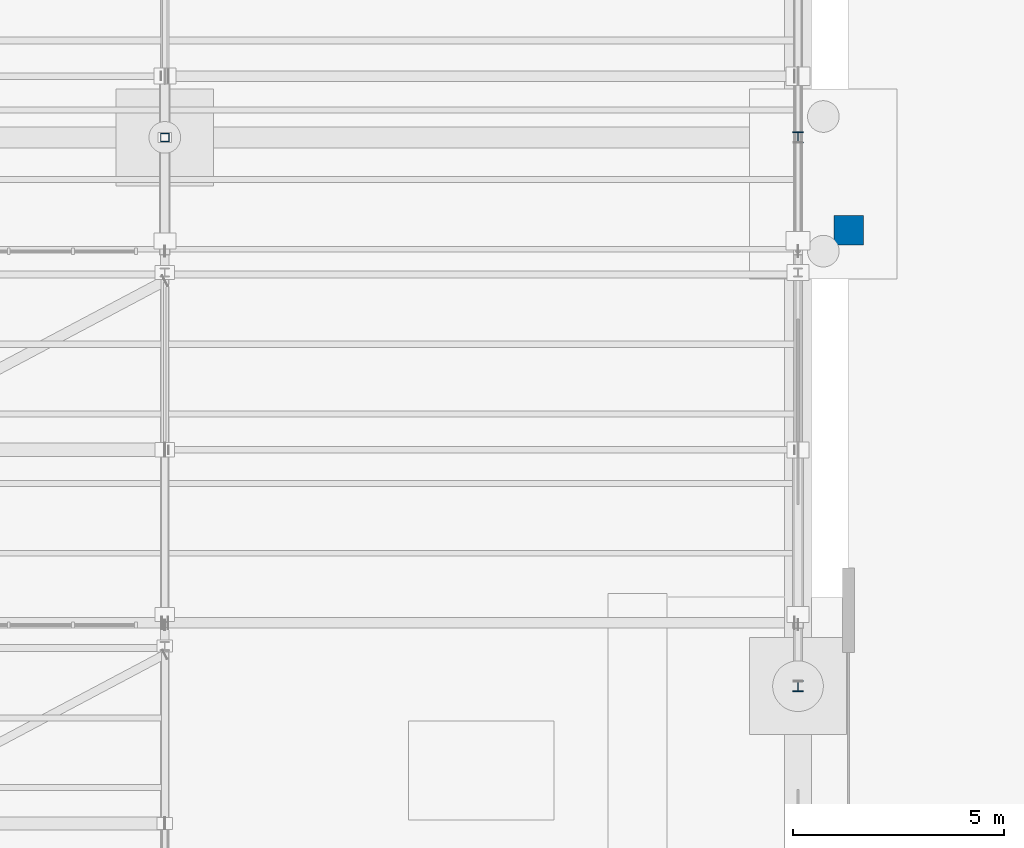
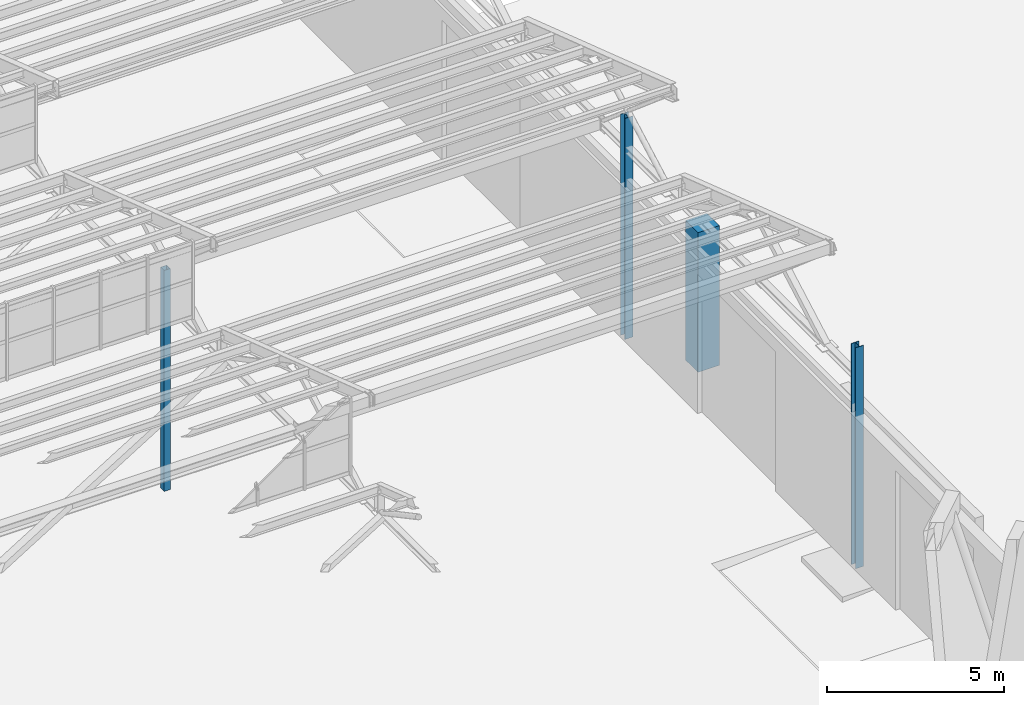
# One storey, part 30 of 285: 4 columns.
"""IFC4 building model written with IfcOpenShell, lengths in metres."""

from ifc_helpers import new_model, si_unit, direction, frame, origin, origin_2d, place, context, subcontext, project, spatial, rectangle, hollow_rectangle, i_section, extrude, material, material_profile, profile_set, type_object, element, save


model = new_model("IFC4")

# Units and contexts
model_context = context("Model", 3, precision=1e-05, world=origin(), true_north=direction((0.0, 1.0)))
body_context = subcontext(model_context, "Body", "Model", "MODEL_VIEW")
ifc_project = project(units=[si_unit("LENGTHUNIT", "METRE"), si_unit("AREAUNIT", "SQUARE_METRE"), si_unit("VOLUMEUNIT", "CUBIC_METRE"), si_unit("PLANEANGLEUNIT", "RADIAN"), si_unit("MASSUNIT", "GRAM", prefix="KILO")], contexts=[model_context])

# Site, building, storey
site_placement = place(None, origin())
site = spatial("IfcSite", under=ifc_project, at=site_placement, CompositionType="ELEMENT")
building_placement = place(site_placement, origin())
building = spatial("IfcBuilding", under=site, at=building_placement, Name="Solanera Park Tramway Depot", CompositionType="ELEMENT")
storey_placement = place(building_placement, origin())
storey = spatial("IfcBuildingStorey", under=building, at=storey_placement, Name="L00", CompositionType="ELEMENT", Elevation=0.0)

# Columns
ifc_material_1 = material(Name="Concrete N40 (C40/50)", Category="concrete")
ifc_material_profile_1 = material_profile(ifc_material_1, rectangle(XDim=0.699951171875, YDim=0.699951171875, at=origin_2d()), Name="RC 700x700")
ifc_profile_set_1 = profile_set([ifc_material_profile_1], Name="Concrete N40 (C40/50)")
column_type_1 = type_object("IfcColumnType", Name="RC Column Int RC 700x700", PredefinedType="COLUMN", material=ifc_profile_set_1)
column_1_placement = place(storey_placement, frame((151.199951171875, 82.800048828125, 0.0), z_axis=(0.0, 0.0, 1.0), x_axis=(1.0, 0.0, 0.0)))
element("IfcColumn", 1, at=column_1_placement, inside=storey, type_object=column_type_1, Name="L00 Column V4-X1512-Y828", PredefinedType="COLUMN", context=body_context, shape_type="SweptSolid", body=[
    extrude(rectangle(XDim=0.699951171875, YDim=0.699951171875, at=origin_2d()), origin(), (0.0, 0.0, 1.0), 4.800048828125),
])
ifc_material_2 = material(Name="Steel AS/NZS 3679.1 Grade 350", Category="steel")
ifc_material_profile_2 = material_profile(ifc_material_2, i_section(OverallWidth=0.25390625, OverallDepth=0.25390625, WebThickness=0.008544921875, FlangeThickness=0.01416015625, at=origin_2d()), Name="250UC72.9")
ifc_profile_set_2 = profile_set([ifc_material_profile_2], Name="Steel AS/NZS 3679.1 Grade 350")
column_type_2 = type_object("IfcColumnType", Name="Steel Column Ext 250UC72.9", PredefinedType="COLUMN", material=ifc_profile_set_2)
column_2_placement = place(storey_placement, frame((150.0, 72.0, 0.0), z_axis=(0.0, 0.0, 1.0), x_axis=(1.0, 0.0, 0.0)))
element("IfcColumn", 2, at=column_2_placement, inside=storey, type_object=column_type_2, Name="L00 Column V1S-X1500-Y720", PredefinedType="COLUMN", context=body_context, shape_type="SweptSolid", body=[
    extrude(i_section(OverallWidth=0.25390625, OverallDepth=0.25390625, WebThickness=0.008544921875, FlangeThickness=0.01416015625, at=origin_2d()), origin(), (0.0, 0.0, 1.0), 7.60009765625),
])
ifc_material_3 = material(Name="Steel AS/NZS 3679.1 Grade 350", Category="steel")
ifc_material_profile_3 = material_profile(ifc_material_3, i_section(OverallWidth=0.255615234375, OverallDepth=0.260009765625, WebThickness=0.010498046875, FlangeThickness=0.017333984375, at=origin_2d()), Name="250UC89.5")
ifc_profile_set_3 = profile_set([ifc_material_profile_3], Name="Steel AS/NZS 3679.1 Grade 350")
column_type_3 = type_object("IfcColumnType", Name="Steel Column Ext 250UC89.5", PredefinedType="COLUMN", material=ifc_profile_set_3)
column_3_placement = place(storey_placement, frame((150.0, 85.0, 0.0), z_axis=(0.0, 0.0, 1.0), x_axis=(1.0, 0.0, 0.0)))
element("IfcColumn", 3, at=column_3_placement, inside=storey, type_object=column_type_3, Name="L00 Column V1-X1500-Y850", PredefinedType="COLUMN", context=body_context, shape_type="SweptSolid", body=[
    extrude(i_section(OverallWidth=0.255615234375, OverallDepth=0.260009765625, WebThickness=0.010498046875, FlangeThickness=0.017333984375, at=origin_2d()), origin(), (0.0, 0.0, 1.0), 7.60009765625),
])
ifc_material_4 = material(Name="Steel AS/NZS 1163 Grade C350L0", Category="steel")
ifc_material_profile_4 = material_profile(ifc_material_4, hollow_rectangle(XDim=0.199951171875, YDim=0.199951171875, WallThickness=0.008056640625, at=origin_2d()), Name="200x200x8.0 SHS")
ifc_profile_set_4 = profile_set([ifc_material_profile_4], Name="Steel AS/NZS 1163 Grade C350L0")
column_type_4 = type_object("IfcColumnType", Name="Steel Column Int 200x200x8.0 SHS", PredefinedType="COLUMN", material=ifc_profile_set_4)
column_4_placement = place(storey_placement, frame((135.0, 85.0, 0.0), z_axis=(0.0, 0.0, 1.0), x_axis=(1.0, 0.0, 0.0)))
element("IfcColumn", 4, at=column_4_placement, inside=storey, type_object=column_type_4, Name="L00 Column V1-X1350-Y850", PredefinedType="COLUMN", context=body_context, shape_type="SweptSolid", body=[
    extrude(hollow_rectangle(XDim=0.199951171875, YDim=0.199951171875, WallThickness=0.008056640625, at=origin_2d()), origin(), (0.0, 0.0, 1.0), 7.60009765625),
])

save(model, "model.ifc")
